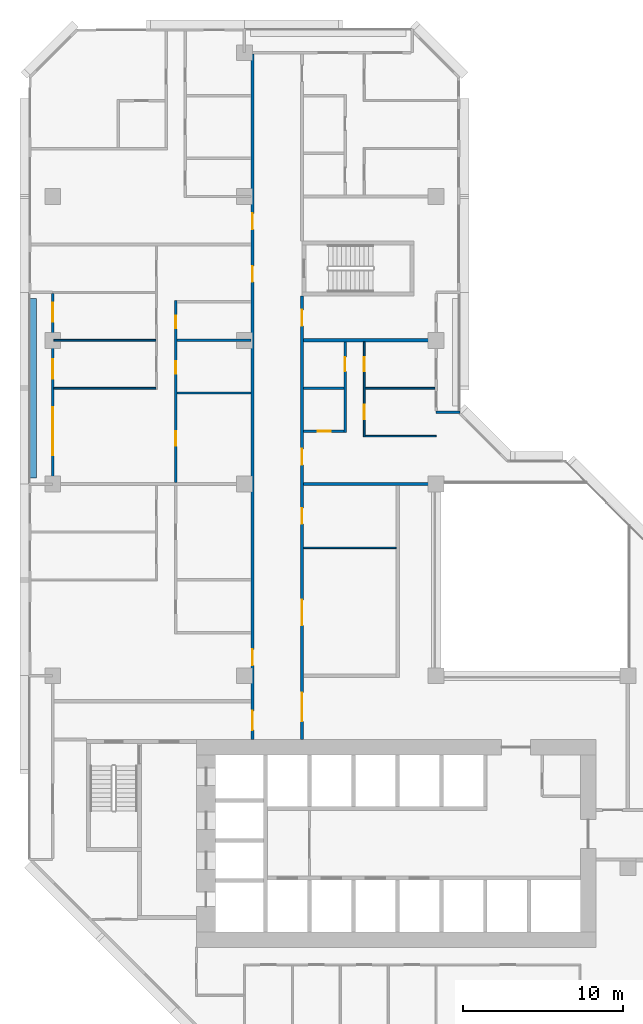
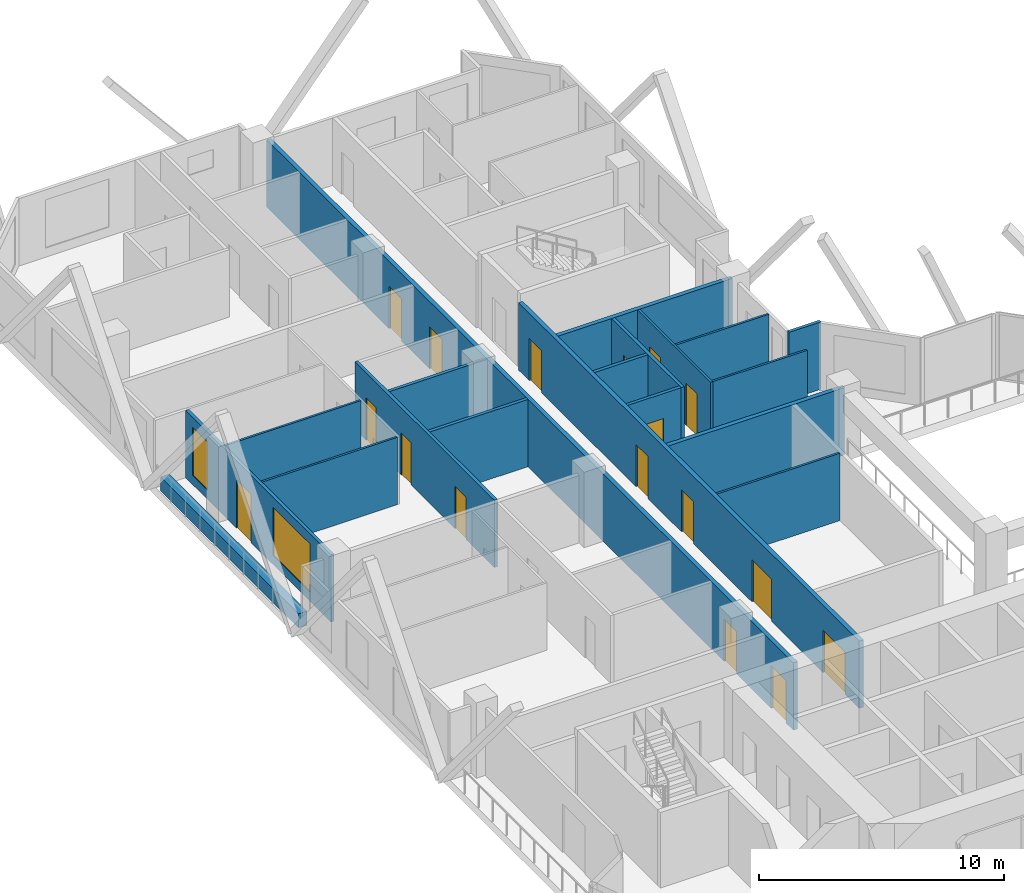
# One storey, part 9 of 15: 19 walls, 17 doors, 2 windows, 19 openings.
"""IFC4 building model written with IfcOpenShell, lengths in metres."""

from ifc_helpers import new_model, si_unit, direction, frame, frame_2d, origin, place, context, subcontext, project, spatial, rectangle, extrude, material, layer, layer_set, type_object, element, fill, save


model = new_model("IFC4")

# Units and contexts
model_context = context("Model", 3, precision=1e-05, world=origin(), true_north=direction((0.0, 1.0)))
body_context = subcontext(model_context, "Body", "Model", "MODEL_VIEW")
ifc_project = project(units=[si_unit("LENGTHUNIT", "METRE"), si_unit("AREAUNIT", "SQUARE_METRE"), si_unit("VOLUMEUNIT", "CUBIC_METRE"), si_unit("PLANEANGLEUNIT", "RADIAN"), si_unit("MASSUNIT", "GRAM", prefix="KILO")], contexts=[model_context])

# Site, building, storey
site_placement = place(None, origin())
site = spatial("IfcSite", under=ifc_project, at=site_placement, CompositionType="ELEMENT")
building_placement = place(site_placement, origin())
building = spatial("IfcBuilding", under=site, at=building_placement, Name="Chenar Terraces", CompositionType="ELEMENT")
storey_placement = place(building_placement, frame((0.0, 0.0, 114.39990234375)))
storey = spatial("IfcBuildingStorey", under=building, at=storey_placement, Name="L26", CompositionType="ELEMENT", Elevation=114.39990234375)

# Wall, openings, doors
ifc_material_1 = material(Name="Gypsum board on steel studs with fire boards", Category="steel")
ifc_layer_1 = layer(ifc_material_1, 0.199951171875)
ifc_layer_set_1 = layer_set([ifc_layer_1], Name="Gypsum board on steel studs with fire boards")
wall_type_1 = type_object("IfcWallType", Name="Corridor wall 200", PredefinedType="PARTITIONING", material=ifc_layer_set_1)
wall_1_placement = place(storey_placement, frame((12.5, 20.0, 0.0), z_axis=(0.0, 0.0, 1.0), x_axis=(0.0, 1.0, 0.0)))
wall_1 = element("IfcWall", 1, at=wall_1_placement, inside=storey, type_object=wall_type_1, Name="Partition L26-032", PredefinedType="PARTITIONING", context=body_context, shape_type="SweptSolid", body=[
    extrude(rectangle(XDim=42.926025390625, YDim=0.199951171875, at=frame_2d((21.462890625, 0.0))), origin(), (0.0, 0.0, 1.0), 3.35009765625),
])
opening_1_placement = place(wall_1_placement, frame((28.64990234375, 0.0, 0.0)))
opening_1 = element("IfcOpeningElement", 2, at=opening_1_placement, cuts=wall_1, Name="Opening DL26-43", PredefinedType="OPENING", context=body_context, shape_type="SweptSolid", body=[
    extrude(rectangle(XDim=1.0, YDim=2.10009765625, at=frame_2d((0.5, 1.050048828125))), frame((0.0, 0.10986328125, 0.0), z_axis=(0.0, -1.0, 0.0), x_axis=(1.0, 0.0, 0.0)), (0.0, 0.0, 1.0), 0.219970703125),
])
opening_2_placement = place(wall_1_placement, frame((31.949951171875, 0.0, 0.0)))
opening_2 = element("IfcOpeningElement", 3, at=opening_2_placement, cuts=wall_1, Name="Opening DL26-51", PredefinedType="OPENING", context=body_context, shape_type="SweptSolid", body=[
    extrude(rectangle(XDim=1.0, YDim=2.10009765625, at=frame_2d((0.5, 1.050048828125))), frame((0.0, 0.10986328125, 0.0), z_axis=(0.0, -1.0, 0.0), x_axis=(1.0, 0.0, 0.0)), (0.0, 0.0, 1.0), 0.219970703125),
])
opening_3_placement = place(wall_1_placement, frame((0.60009765625, 0.0, 0.0)))
opening_3 = element("IfcOpeningElement", 4, at=opening_3_placement, cuts=wall_1, Name="Opening DL26-54", PredefinedType="OPENING", context=body_context, shape_type="SweptSolid", body=[
    extrude(rectangle(XDim=1.199951171875, YDim=2.10009765625, at=frame_2d((0.60009765625, 1.050048828125))), frame((0.0, 0.10986328125, 0.0), z_axis=(0.0, -1.0, 0.0), x_axis=(1.0, 0.0, 0.0)), (0.0, 0.0, 1.0), 0.219970703125),
])
opening_4_placement = place(wall_1_placement, frame((4.64990234375, 0.0, 0.0)))
opening_4 = element("IfcOpeningElement", 5, at=opening_4_placement, cuts=wall_1, Name="Opening DL26-74", PredefinedType="OPENING", context=body_context, shape_type="SweptSolid", body=[
    extrude(rectangle(XDim=1.0, YDim=2.10009765625, at=frame_2d((0.5, 1.050048828125))), frame((0.0, 0.10986328125, 0.0), z_axis=(0.0, -1.0, 0.0), x_axis=(1.0, 0.0, 0.0)), (0.0, 0.0, 1.0), 0.219970703125),
])
ifc_material_2 = material(Name="Steel-framed fire-resisting door leaf", Category="steel")
door_type_1 = type_object("IfcDoorType", Name="Fire door FD30S 1000 x 2100", OperationType="SINGLE_SWING_LEFT", PredefinedType="DOOR", material=ifc_material_2)
door_1_placement = place(opening_1_placement, origin())
door_1 = element("IfcDoor", 6, at=door_1_placement, inside=storey, type_object=door_type_1, Name="Door DL26-43", OperationType="SINGLE_SWING_LEFT", OverallHeight=2.10009765625, OverallWidth=1.0, PredefinedType="DOOR", context=body_context, shape_type="SweptSolid", body=[
    extrude(rectangle(XDim=1.0, YDim=2.10009765625, at=frame_2d((0.5, 1.050048828125))), frame((0.0, 0.02490234375, 0.0), z_axis=(0.0, -1.0, 0.0), x_axis=(1.0, 0.0, 0.0)), (0.0, 0.0, 1.0), 0.050048828125),
])
fill(opening_1, door_1)
door_2_placement = place(opening_2_placement, origin())
door_2 = element("IfcDoor", 7, at=door_2_placement, inside=storey, type_object=door_type_1, Name="Door DL26-51", OperationType="SINGLE_SWING_RIGHT", OverallHeight=2.10009765625, OverallWidth=1.0, PredefinedType="DOOR", context=body_context, shape_type="SweptSolid", body=[
    extrude(rectangle(XDim=1.0, YDim=2.10009765625, at=frame_2d((0.5, 1.050048828125))), frame((0.0, 0.02490234375, 0.0), z_axis=(0.0, -1.0, 0.0), x_axis=(1.0, 0.0, 0.0)), (0.0, 0.0, 1.0), 0.050048828125),
])
fill(opening_2, door_2)
door_3_placement = place(opening_4_placement, origin())
door_3 = element("IfcDoor", 8, at=door_3_placement, inside=storey, type_object=door_type_1, Name="Door DL26-74", OperationType="SINGLE_SWING_LEFT", OverallHeight=2.10009765625, OverallWidth=1.0, PredefinedType="DOOR", context=body_context, shape_type="SweptSolid", body=[
    extrude(rectangle(XDim=1.0, YDim=2.10009765625, at=frame_2d((0.5, 1.050048828125))), frame((0.0, 0.02490234375, 0.0), z_axis=(0.0, -1.0, 0.0), x_axis=(1.0, 0.0, 0.0)), (0.0, 0.0, 1.0), 0.050048828125),
])
fill(opening_4, door_3)
ifc_material_3 = material(Name="Steel-framed fire-resisting door leaf", Category="steel")
door_type_2 = type_object("IfcDoorType", Name="Fire door FD30S 1200 x 2100", OperationType="SINGLE_SWING_LEFT", PredefinedType="DOOR", material=ifc_material_3)
door_4_placement = place(opening_3_placement, origin())
door_4 = element("IfcDoor", 9, at=door_4_placement, inside=storey, type_object=door_type_2, Name="Door DL26-54", OperationType="SINGLE_SWING_RIGHT", OverallHeight=2.10009765625, OverallWidth=1.199951171875, PredefinedType="DOOR", context=body_context, shape_type="SweptSolid", body=[
    extrude(rectangle(XDim=1.199951171875, YDim=2.10009765625, at=frame_2d((0.60009765625, 1.050048828125))), frame((0.0, 0.02490234375, 0.0), z_axis=(0.0, -1.0, 0.0), x_axis=(1.0, 0.0, 0.0)), (0.0, 0.0, 1.0), 0.050048828125),
])
fill(opening_3, door_4)

wall_2_placement = place(storey_placement, frame((15.60009765625, 20.0, 0.0), z_axis=(0.0, 0.0, 1.0), x_axis=(0.0, 1.0, 0.0)))
wall_2 = element("IfcWall", 10, at=wall_2_placement, inside=storey, type_object=wall_type_1, Name="Partition L26-034", PredefinedType="PARTITIONING", context=body_context, shape_type="SweptSolid", body=[
    extrude(rectangle(XDim=27.77490234375, YDim=0.199951171875, at=frame_2d((13.887451171875, 0.0))), origin(), (0.0, 0.0, 1.0), 3.35009765625),
])
opening_5_placement = place(wall_2_placement, frame((7.14990234375, 0.0, 0.0)))
opening_5 = element("IfcOpeningElement", 11, at=opening_5_placement, cuts=wall_2, Name="Opening DL26-1", PredefinedType="OPENING", context=body_context, shape_type="SweptSolid", body=[
    extrude(rectangle(XDim=1.60009765625, YDim=2.10009765625, at=frame_2d((0.800048828125, 1.050048828125))), frame((0.0, 0.10986328125, 0.0), z_axis=(0.0, -1.0, 0.0), x_axis=(1.0, 0.0, 0.0)), (0.0, 0.0, 1.0), 0.219970703125),
])
opening_6_placement = place(wall_2_placement, frame((13.5, 0.0, 0.0)))
opening_6 = element("IfcOpeningElement", 12, at=opening_6_placement, cuts=wall_2, Name="Opening DL26-2", PredefinedType="OPENING", context=body_context, shape_type="SweptSolid", body=[
    extrude(rectangle(XDim=1.0, YDim=2.10009765625, at=frame_2d((0.5, 1.050048828125))), frame((0.0, 0.10986328125, 0.0), z_axis=(0.0, -1.0, 0.0), x_axis=(1.0, 0.0, 0.0)), (0.0, 0.0, 1.0), 0.219970703125),
])
opening_7_placement = place(wall_2_placement, frame((17.199951171875, 0.0, 0.0)))
opening_7 = element("IfcOpeningElement", 13, at=opening_7_placement, cuts=wall_2, Name="Opening DL26-33", PredefinedType="OPENING", context=body_context, shape_type="SweptSolid", body=[
    extrude(rectangle(XDim=1.0, YDim=2.10009765625, at=frame_2d((0.5, 1.050048828125))), frame((0.0, 0.10986328125, 0.0), z_axis=(0.0, -1.0, 0.0), x_axis=(1.0, 0.0, 0.0)), (0.0, 0.0, 1.0), 0.219970703125),
])
opening_8_placement = place(wall_2_placement, frame((1.14990234375, 0.0, 0.0)))
opening_8 = element("IfcOpeningElement", 14, at=opening_8_placement, cuts=wall_2, Name="Opening DL26-53", PredefinedType="OPENING", context=body_context, shape_type="SweptSolid", body=[
    extrude(rectangle(XDim=1.800048828125, YDim=2.10009765625, at=frame_2d((0.89990234375, 1.050048828125))), frame((0.0, 0.10986328125, 0.0), z_axis=(0.0, -1.0, 0.0), x_axis=(1.0, 0.0, 0.0)), (0.0, 0.0, 1.0), 0.219970703125),
])
opening_9_placement = place(wall_2_placement, frame((25.89990234375, 0.0, 0.0)))
opening_9 = element("IfcOpeningElement", 15, at=opening_9_placement, cuts=wall_2, Name="Opening DL26-56", PredefinedType="OPENING", context=body_context, shape_type="SweptSolid", body=[
    extrude(rectangle(XDim=1.0, YDim=2.10009765625, at=frame_2d((0.5, 1.050048828125))), frame((0.0, 0.10986328125, 0.0), z_axis=(0.0, -1.0, 0.0), x_axis=(1.0, 0.0, 0.0)), (0.0, 0.0, 1.0), 0.219970703125),
])
ifc_material_4 = material(Name="Steel-framed fire-resisting door leaf", Category="steel")
door_type_3 = type_object("IfcDoorType", Name="Fire door FD60 1000 x 2100", OperationType="SINGLE_SWING_LEFT", PredefinedType="DOOR", material=ifc_material_4)
door_5_placement = place(opening_6_placement, frame((1.0, 0.0, 0.0), z_axis=(0.0, 0.0, 1.0), x_axis=(-1.0, 0.0, 0.0)))
door_5 = element("IfcDoor", 16, at=door_5_placement, inside=storey, type_object=door_type_3, Name="Door DL26-2", OperationType="SINGLE_SWING_LEFT", OverallHeight=2.10009765625, OverallWidth=1.0, PredefinedType="DOOR", context=body_context, shape_type="SweptSolid", body=[
    extrude(rectangle(XDim=1.0, YDim=2.10009765625, at=frame_2d((0.5, 1.050048828125))), frame((0.0, 0.02490234375, 0.0), z_axis=(0.0, -1.0, 0.0), x_axis=(1.0, 0.0, 0.0)), (0.0, 0.0, 1.0), 0.050048828125),
])
fill(opening_6, door_5)
door_6_placement = place(opening_7_placement, frame((1.0, 0.0, 0.0), z_axis=(0.0, 0.0, 1.0), x_axis=(-1.0, 0.0, 0.0)))
door_6 = element("IfcDoor", 17, at=door_6_placement, inside=storey, type_object=door_type_3, Name="Door DL26-33", OperationType="SINGLE_SWING_LEFT", OverallHeight=2.10009765625, OverallWidth=1.0, PredefinedType="DOOR", context=body_context, shape_type="SweptSolid", body=[
    extrude(rectangle(XDim=1.0, YDim=2.10009765625, at=frame_2d((0.5, 1.050048828125))), frame((0.0, 0.02490234375, 0.0), z_axis=(0.0, -1.0, 0.0), x_axis=(1.0, 0.0, 0.0)), (0.0, 0.0, 1.0), 0.050048828125),
])
fill(opening_7, door_6)
door_7_placement = place(opening_9_placement, frame((1.0, 0.0, 0.0), z_axis=(0.0, 0.0, 1.0), x_axis=(-1.0, 0.0, 0.0)))
door_7 = element("IfcDoor", 18, at=door_7_placement, inside=storey, type_object=door_type_3, Name="Door DL26-56", OperationType="SINGLE_SWING_RIGHT", OverallHeight=2.10009765625, OverallWidth=1.0, PredefinedType="DOOR", context=body_context, shape_type="SweptSolid", body=[
    extrude(rectangle(XDim=1.0, YDim=2.10009765625, at=frame_2d((0.5, 1.050048828125))), frame((0.0, 0.02490234375, 0.0), z_axis=(0.0, -1.0, 0.0), x_axis=(1.0, 0.0, 0.0)), (0.0, 0.0, 1.0), 0.050048828125),
])
fill(opening_9, door_7)
ifc_material_5 = material(Name="Steel-framed fire-resisting door leaf", Category="steel")
door_type_4 = type_object("IfcDoorType", Name="Fire double door FD60 1600 x 2100", OperationType="DOUBLE_DOOR_SINGLE_SWING", PredefinedType="DOOR", material=ifc_material_5)
door_8_placement = place(opening_5_placement, frame((1.60009765625, 0.0, 0.0), z_axis=(0.0, 0.0, 1.0), x_axis=(-1.0, 0.0, 0.0)))
door_8 = element("IfcDoor", 19, at=door_8_placement, inside=storey, type_object=door_type_4, Name="Door DL26-1", OperationType="DOUBLE_DOOR_SINGLE_SWING", OverallHeight=2.10009765625, OverallWidth=1.60009765625, PredefinedType="DOOR", context=body_context, shape_type="SweptSolid", body=[
    extrude(rectangle(XDim=1.60009765625, YDim=2.10009765625, at=frame_2d((0.800048828125, 1.050048828125))), frame((0.0, 0.02490234375, 0.0), z_axis=(0.0, -1.0, 0.0), x_axis=(1.0, 0.0, 0.0)), (0.0, 0.0, 1.0), 0.050048828125),
])
fill(opening_5, door_8)
ifc_material_6 = material(Name="Steel-framed fire-resisting door leaf", Category="steel")
door_type_5 = type_object("IfcDoorType", Name="Fire double door FD60 1800 x 2100", OperationType="DOUBLE_DOOR_SINGLE_SWING", PredefinedType="DOOR", material=ifc_material_6)
door_9_placement = place(opening_8_placement, frame((1.800048828125, 0.0, 0.0), z_axis=(0.0, 0.0, 1.0), x_axis=(-1.0, 0.0, 0.0)))
door_9 = element("IfcDoor", 20, at=door_9_placement, inside=storey, type_object=door_type_5, Name="Door DL26-53", OperationType="DOUBLE_DOOR_SINGLE_SWING", OverallHeight=2.10009765625, OverallWidth=1.800048828125, PredefinedType="DOOR", context=body_context, shape_type="SweptSolid", body=[
    extrude(rectangle(XDim=1.800048828125, YDim=2.10009765625, at=frame_2d((0.89990234375, 1.050048828125))), frame((0.0, 0.02490234375, 0.0), z_axis=(0.0, -1.0, 0.0), x_axis=(1.0, 0.0, 0.0)), (0.0, 0.0, 1.0), 0.050048828125),
])
fill(opening_8, door_9)

# Wall, openings, windows, door
ifc_material_7 = material(Name="Aluminium framed glazing", Category="aluminium")
ifc_layer_2 = layer(ifc_material_7, 0.14990234375)
ifc_layer_set_2 = layer_set([ifc_layer_2], Name="Aluminium framed glazing")
wall_type_2 = type_object("IfcWallType", Name="Glazed loggia back wall 150", PredefinedType="SOLIDWALL", material=ifc_layer_set_2)
wall_3_placement = place(storey_placement, frame((0.0, 47.925048828125, 0.0), z_axis=(0.0, 0.0, 1.0), x_axis=(0.0, -1.0, 0.0)))
wall_3 = element("IfcWall", 21, at=wall_3_placement, inside=storey, type_object=wall_type_2, Name="Glazed loggia back wall", PredefinedType="SOLIDWALL", context=body_context, shape_type="SweptSolid", body=[
    extrude(rectangle(XDim=11.85009765625, YDim=0.14990234375, at=frame_2d((5.925048828125, 0.0))), origin(), (0.0, 0.0, 1.0), 3.35009765625),
])
opening_10_placement = place(wall_3_placement, frame((0.5625, 0.0, 0.449951171875)))
opening_10 = element("IfcOpeningElement", 22, at=opening_10_placement, cuts=wall_3, Name="Opening W120x240", PredefinedType="OPENING", context=body_context, shape_type="SweptSolid", body=[
    extrude(rectangle(XDim=1.199951171875, YDim=2.39990234375, at=frame_2d((0.60009765625, 1.199951171875))), frame((0.0, 0.0849609375, 0.0), z_axis=(0.0, -1.0, 0.0), x_axis=(1.0, 0.0, 0.0)), (0.0, 0.0, 1.0), 0.169921875),
])
opening_11_placement = place(wall_3_placement, frame((4.125, 0.0, 0.0)))
opening_11 = element("IfcOpeningElement", 23, at=opening_11_placement, cuts=wall_3, Name="Opening DL26-G4", PredefinedType="OPENING", context=body_context, shape_type="SweptSolid", body=[
    extrude(rectangle(XDim=1.199951171875, YDim=2.39990234375, at=frame_2d((0.60009765625, 1.199951171875))), frame((0.0, 0.0849609375, 0.0), z_axis=(0.0, -1.0, 0.0), x_axis=(1.0, 0.0, 0.0)), (0.0, 0.0, 1.0), 0.169921875),
])
opening_12_placement = place(wall_3_placement, frame((7.125, 0.0, 0.449951171875)))
opening_12 = element("IfcOpeningElement", 24, at=opening_12_placement, cuts=wall_3, Name="Opening W300x240", PredefinedType="OPENING", context=body_context, shape_type="SweptSolid", body=[
    extrude(rectangle(XDim=3.0, YDim=2.39990234375, at=frame_2d((1.5, 1.199951171875))), frame((0.0, 0.0849609375, 0.0), z_axis=(0.0, -1.0, 0.0), x_axis=(1.0, 0.0, 0.0)), (0.0, 0.0, 1.0), 0.169921875),
])
ifc_material_8 = material(Name="Low emissivity double glazing, aluminium frame", Category="aluminium")
window_type_1 = type_object("IfcWindowType", Name="Fixed light 1200 x 2400", PartitioningType="SINGLE_PANEL", PredefinedType="WINDOW", material=ifc_material_8)
window_1_placement = place(opening_10_placement, origin())
window_1 = element("IfcWindow", 25, at=window_1_placement, inside=storey, type_object=window_type_1, Name="Window", OverallHeight=2.39990234375, OverallWidth=1.199951171875, PartitioningType="SINGLE_PANEL", PredefinedType="WINDOW", context=body_context, shape_type="SweptSolid", body=[
    extrude(rectangle(XDim=1.199951171875, YDim=2.39990234375, at=frame_2d((0.60009765625, 1.199951171875))), frame((0.0, 0.030029296875, 0.0), z_axis=(0.0, -1.0, 0.0), x_axis=(1.0, 0.0, 0.0)), (0.0, 0.0, 1.0), 0.06005859375),
])
fill(opening_10, window_1)
ifc_material_9 = material(Name="Low emissivity double glazing, aluminium frame", Category="aluminium")
window_type_2 = type_object("IfcWindowType", Name="Fixed light 3000 x 2400", PartitioningType="SINGLE_PANEL", PredefinedType="WINDOW", material=ifc_material_9)
window_2_placement = place(opening_12_placement, origin())
window_2 = element("IfcWindow", 26, at=window_2_placement, inside=storey, type_object=window_type_2, Name="Window", OverallHeight=2.39990234375, OverallWidth=3.0, PartitioningType="SINGLE_PANEL", PredefinedType="WINDOW", context=body_context, shape_type="SweptSolid", body=[
    extrude(rectangle(XDim=3.0, YDim=2.39990234375, at=frame_2d((1.5, 1.199951171875))), frame((0.0, 0.030029296875, 0.0), z_axis=(0.0, -1.0, 0.0), x_axis=(1.0, 0.0, 0.0)), (0.0, 0.0, 1.0), 0.06005859375),
])
fill(opening_12, window_2)
ifc_material_10 = material(Name="Low emissivity double glazing, aluminium frame", Category="aluminium")
door_type_6 = type_object("IfcDoorType", Name="Loggia glazed double door 1200 x 2400", OperationType="DOUBLE_DOOR_SINGLE_SWING", PredefinedType="DOOR", material=ifc_material_10)
door_10_placement = place(opening_11_placement, frame((1.199951171875, 0.0, 0.0), z_axis=(0.0, 0.0, 1.0), x_axis=(-1.0, 0.0, 0.0)))
door_10 = element("IfcDoor", 27, at=door_10_placement, inside=storey, type_object=door_type_6, Name="Loggia glazed door", OperationType="DOUBLE_DOOR_SINGLE_SWING", OverallHeight=2.39990234375, OverallWidth=1.199951171875, PredefinedType="DOOR", context=body_context, shape_type="SweptSolid", body=[
    extrude(rectangle(XDim=1.199951171875, YDim=2.39990234375, at=frame_2d((0.60009765625, 1.199951171875))), frame((0.0, 0.02490234375, 0.0), z_axis=(0.0, -1.0, 0.0), x_axis=(1.0, 0.0, 0.0)), (0.0, 0.0, 1.0), 0.050048828125),
])
fill(opening_11, door_10)

# Walls
ifc_material_11 = material(Name="Gypsum board on steel studs", Category="steel")
ifc_layer_3 = layer(ifc_material_11, 0.10009765625)
ifc_layer_set_3 = layer_set([ifc_layer_3], Name="Gypsum board on steel studs")
wall_type_3 = type_object("IfcWallType", Name="Gypsum partition 100", PredefinedType="PARTITIONING", material=ifc_layer_set_3)
for number, where, z_axis, x_axis, name in (
    (28, (0.073974609375, 42.0, 0.0), (0.0, 0.0, 1.0), (1.0, 0.0, 0.0), "Partition L26-009"),
    (29, (0.073974609375, 45.0, 0.0), (0.0, 0.0, 1.0), (1.0, 0.0, 0.0), "Partition L26-010"),
):
    element("IfcWall", number, at=place(storey_placement, frame(where, z_axis=z_axis, x_axis=x_axis)), inside=storey, type_object=wall_type_3, Name=name, PredefinedType="PARTITIONING", context=body_context, shape_type="SweptSolid", body=[
        extrude(rectangle(XDim=6.3759765625, YDim=0.10009765625, at=frame_2d((3.18798828125, 0.0))), origin(), (0.0, 0.0, 1.0), 3.35009765625),
    ])
wall_4_placement = place(storey_placement, frame((15.699951171875, 32.0, 0.0), z_axis=(0.0, 0.0, 1.0), x_axis=(1.0, 0.0, 0.0)))
element("IfcWall", 30, at=wall_4_placement, inside=storey, type_object=wall_type_3, Name="Partition L26-037", PredefinedType="PARTITIONING", context=body_context, shape_type="SweptSolid", body=[
    extrude(rectangle(XDim=5.800048828125, YDim=0.10009765625, at=frame_2d((2.89990234375, 0.0))), origin(), (0.0, 0.0, 1.0), 3.35009765625),
])

# Wall, openings, doors
wall_5_placement = place(storey_placement, frame((19.5, 38.949951171875, 0.0), z_axis=(0.0, 0.0, 1.0), x_axis=(0.0, 1.0, 0.0)))
wall_5 = element("IfcWall", 31, at=wall_5_placement, inside=storey, type_object=wall_type_3, Name="Partition L26-050", PredefinedType="PARTITIONING", context=body_context, shape_type="SweptSolid", body=[
    extrude(rectangle(XDim=5.949951171875, YDim=0.10009765625, at=frame_2d((2.97509765625, 0.0))), origin(), (0.0, 0.0, 1.0), 3.35009765625),
])
opening_13_placement = place(wall_5_placement, frame((1.10009765625, 0.0, 0.0)))
opening_13 = element("IfcOpeningElement", 32, at=opening_13_placement, cuts=wall_5, Name="Opening DL26-30", PredefinedType="OPENING", context=body_context, shape_type="SweptSolid", body=[
    extrude(rectangle(XDim=0.89990234375, YDim=2.10009765625, at=frame_2d((0.449951171875, 1.050048828125))), frame((0.0, 0.06005859375, 0.0), z_axis=(0.0, -1.0, 0.0), x_axis=(1.0, 0.0, 0.0)), (0.0, 0.0, 1.0), 0.1201171875),
])
opening_14_placement = place(wall_5_placement, frame((4.10009765625, 0.0, 0.0)))
opening_14 = element("IfcOpeningElement", 33, at=opening_14_placement, cuts=wall_5, Name="Opening DL26-31", PredefinedType="OPENING", context=body_context, shape_type="SweptSolid", body=[
    extrude(rectangle(XDim=0.89990234375, YDim=2.10009765625, at=frame_2d((0.449951171875, 1.050048828125))), frame((0.0, 0.06005859375, 0.0), z_axis=(0.0, -1.0, 0.0), x_axis=(1.0, 0.0, 0.0)), (0.0, 0.0, 1.0), 0.1201171875),
])
ifc_material_12 = material(Name="Veneered timber door leaf", Category="wood")
door_type_7 = type_object("IfcDoorType", Name="Door 900 x 2100", OperationType="SINGLE_SWING_LEFT", PredefinedType="DOOR", material=ifc_material_12)
door_11_placement = place(opening_13_placement, frame((0.89990234375, 0.0, 0.0), z_axis=(0.0, 0.0, 1.0), x_axis=(-1.0, 0.0, 0.0)))
door_11 = element("IfcDoor", 34, at=door_11_placement, inside=storey, type_object=door_type_7, Name="Door DL26-30", OperationType="SINGLE_SWING_RIGHT", OverallHeight=2.10009765625, OverallWidth=0.89990234375, PredefinedType="DOOR", context=body_context, shape_type="SweptSolid", body=[
    extrude(rectangle(XDim=0.89990234375, YDim=2.10009765625, at=frame_2d((0.449951171875, 1.050048828125))), frame((0.0, 0.02490234375, 0.0), z_axis=(0.0, -1.0, 0.0), x_axis=(1.0, 0.0, 0.0)), (0.0, 0.0, 1.0), 0.050048828125),
])
fill(opening_13, door_11)
door_12_placement = place(opening_14_placement, frame((0.89990234375, 0.0, 0.0), z_axis=(0.0, 0.0, 1.0), x_axis=(-1.0, 0.0, 0.0)))
door_12 = element("IfcDoor", 35, at=door_12_placement, inside=storey, type_object=door_type_7, Name="Door DL26-31", OperationType="SINGLE_SWING_LEFT", OverallHeight=2.10009765625, OverallWidth=0.89990234375, PredefinedType="DOOR", context=body_context, shape_type="SweptSolid", body=[
    extrude(rectangle(XDim=0.89990234375, YDim=2.10009765625, at=frame_2d((0.449951171875, 1.050048828125))), frame((0.0, 0.02490234375, 0.0), z_axis=(0.0, -1.0, 0.0), x_axis=(1.0, 0.0, 0.0)), (0.0, 0.0, 1.0), 0.050048828125),
])
fill(opening_14, door_12)

# Walls
wall_6_placement = place(storey_placement, frame((19.550048828125, 39.0, 0.0), z_axis=(0.0, 0.0, 1.0), x_axis=(1.0, 0.0, 0.0)))
element("IfcWall", 36, at=wall_6_placement, inside=storey, type_object=wall_type_3, Name="Partition L26-053", PredefinedType="PARTITIONING", context=body_context, shape_type="SweptSolid", body=[
    extrude(rectangle(XDim=4.449951171875, YDim=0.10009765625, at=frame_2d((2.22509765625, 0.0))), origin(), (0.0, 0.0, 1.0), 3.35009765625),
])
wall_7_placement = place(storey_placement, frame((19.550048828125, 42.0, 0.0), z_axis=(0.0, 0.0, 1.0), x_axis=(1.0, 0.0, 0.0)))
element("IfcWall", 37, at=wall_7_placement, inside=storey, type_object=wall_type_3, Name="Partition L26-054", PredefinedType="PARTITIONING", context=body_context, shape_type="SweptSolid", body=[
    extrude(rectangle(XDim=4.3759765625, YDim=0.10009765625, at=frame_2d((2.18798828125, 0.0))), origin(), (0.0, 0.0, 1.0), 3.35009765625),
])
ifc_material_13 = material(Name="Terracotta cladding on insulated backing", Category="masonry")
ifc_layer_4 = layer(ifc_material_13, 0.14990234375)
ifc_layer_set_4 = layer_set([ifc_layer_4], Name="Terracotta cladding on insulated backing")
wall_type_4 = type_object("IfcWallType", Name="Loggia return wall 150", PredefinedType="SOLIDWALL", material=ifc_layer_set_4)
wall_8_placement = place(storey_placement, frame((25.5, 40.5, 0.0), z_axis=(0.0, 0.0, 1.0), x_axis=(-1.0, 0.0, 0.0)))
element("IfcWall", 38, at=wall_8_placement, inside=storey, type_object=wall_type_4, Name="Loggia return wall", PredefinedType="SOLIDWALL", context=body_context, shape_type="SweptSolid", body=[
    extrude(rectangle(XDim=1.5, YDim=0.14990234375, at=frame_2d((0.75, 0.0))), origin(), (0.0, 0.0, 1.0), 3.35009765625),
])
ifc_material_14 = material(Name="Twin gypsum board on steel studs with mineral wool", Category="steel")
ifc_layer_5 = layer(ifc_material_14, 0.199951171875)
ifc_layer_set_5 = layer_set([ifc_layer_5], Name="Twin gypsum board on steel studs with mineral wool")
wall_type_5 = type_object("IfcWallType", Name="Unit demising wall 200", PredefinedType="PARTITIONING", material=ifc_layer_set_5)
wall_9_placement = place(storey_placement, frame((15.699951171875, 36.0, 0.0), z_axis=(0.0, 0.0, 1.0), x_axis=(1.0, 0.0, 0.0)))
element("IfcWall", 39, at=wall_9_placement, inside=storey, type_object=wall_type_5, Name="Partition L26-038", PredefinedType="PARTITIONING", context=body_context, shape_type="SweptSolid", body=[
    extrude(rectangle(XDim=8.300048828125, YDim=0.199951171875, at=frame_2d((4.14990234375, 0.0))), origin(), (0.0, 0.0, 1.0), 3.35009765625),
])
wall_10_placement = place(storey_placement, frame((15.699951171875, 45.0, 0.0), z_axis=(0.0, 0.0, 1.0), x_axis=(1.0, 0.0, 0.0)))
element("IfcWall", 40, at=wall_10_placement, inside=storey, type_object=wall_type_5, Name="Partition L26-041", PredefinedType="PARTITIONING", context=body_context, shape_type="SweptSolid", body=[
    extrude(rectangle(XDim=8.22607421875, YDim=0.199951171875, at=frame_2d((4.113037109375, 0.0))), origin(), (0.0, 0.0, 1.0), 3.35009765625),
])
ifc_material_15 = material(Name="GRP planter trough")
ifc_layer_6 = layer(ifc_material_15, 0.39990234375)
ifc_layer_set_6 = layer_set([ifc_layer_6], Name="GRP planter trough")
wall_type_6 = type_object("IfcWallType", Name="Vertical greenery planter 400", PredefinedType="SOLIDWALL", material=ifc_layer_set_6)
wall_11_placement = place(storey_placement, frame((-1.22900390625, 47.625, 0.0), z_axis=(0.0, 0.0, 1.0), x_axis=(0.0, -1.0, 0.0)))
element("IfcWall", 41, at=wall_11_placement, inside=storey, type_object=wall_type_6, Name="Vertical greenery planter", PredefinedType="SOLIDWALL", context=body_context, shape_type="SweptSolid", body=[
    extrude(rectangle(XDim=11.25, YDim=0.39990234375, at=frame_2d((5.625, 0.0))), origin(), (0.0, 0.0, 1.0), 0.7001953125),
])

# Wall, openings, doors
ifc_material_16 = material(Name="Moisture-resistant gypsum board on steel studs", Category="steel")
ifc_layer_7 = layer(ifc_material_16, 0.14990234375)
ifc_layer_set_7 = layer_set([ifc_layer_7], Name="Moisture-resistant gypsum board on steel studs")
wall_type_7 = type_object("IfcWallType", Name="Wet-room partition 150", PredefinedType="PARTITIONING", material=ifc_layer_set_7)
wall_12_placement = place(storey_placement, frame((7.699951171875, 36.10009765625, 0.0), z_axis=(0.0, 0.0, 1.0), x_axis=(0.0, 1.0, 0.0)))
wall_12 = element("IfcWall", 42, at=wall_12_placement, inside=storey, type_object=wall_type_7, Name="Partition L26-018", PredefinedType="PARTITIONING", context=body_context, shape_type="SweptSolid", body=[
    extrude(rectangle(XDim=11.375, YDim=0.14990234375, at=frame_2d((5.6875, 0.0))), origin(), (0.0, 0.0, 1.0), 3.35009765625),
])
opening_15_placement = place(wall_12_placement, frame((9.64990234375, 0.0, 0.0)))
opening_15 = element("IfcOpeningElement", 43, at=opening_15_placement, cuts=wall_12, Name="Opening DL26-39", PredefinedType="OPENING", context=body_context, shape_type="SweptSolid", body=[
    extrude(rectangle(XDim=0.800048828125, YDim=2.10009765625, at=frame_2d((0.39990234375, 1.050048828125))), frame((0.0, 0.0849609375, 0.0), z_axis=(0.0, -1.0, 0.0), x_axis=(1.0, 0.0, 0.0)), (0.0, 0.0, 1.0), 0.169921875),
])
opening_16_placement = place(wall_12_placement, frame((2.300048828125, 0.0, 0.0)))
opening_16 = element("IfcOpeningElement", 44, at=opening_16_placement, cuts=wall_12, Name="Opening DL26-42", PredefinedType="OPENING", context=body_context, shape_type="SweptSolid", body=[
    extrude(rectangle(XDim=0.89990234375, YDim=2.10009765625, at=frame_2d((0.449951171875, 1.050048828125))), frame((0.0, 0.0849609375, 0.0), z_axis=(0.0, -1.0, 0.0), x_axis=(1.0, 0.0, 0.0)), (0.0, 0.0, 1.0), 0.169921875),
])
opening_17_placement = place(wall_12_placement, frame((6.800048828125, 0.0, 0.0)))
opening_17 = element("IfcOpeningElement", 45, at=opening_17_placement, cuts=wall_12, Name="Opening DL26-45", PredefinedType="OPENING", context=body_context, shape_type="SweptSolid", body=[
    extrude(rectangle(XDim=0.800048828125, YDim=2.10009765625, at=frame_2d((0.39990234375, 1.050048828125))), frame((0.0, 0.0849609375, 0.0), z_axis=(0.0, -1.0, 0.0), x_axis=(1.0, 0.0, 0.0)), (0.0, 0.0, 1.0), 0.169921875),
])
ifc_material_17 = material(Name="Veneered timber door leaf", Category="wood")
door_type_8 = type_object("IfcDoorType", Name="Door 800 x 2100", OperationType="SINGLE_SWING_LEFT", PredefinedType="DOOR", material=ifc_material_17)
door_13_placement = place(opening_15_placement, frame((0.800048828125, 0.0, 0.0), z_axis=(0.0, 0.0, 1.0), x_axis=(-1.0, 0.0, 0.0)))
door_13 = element("IfcDoor", 46, at=door_13_placement, inside=storey, type_object=door_type_8, Name="Door DL26-39", OperationType="SINGLE_SWING_RIGHT", OverallHeight=2.10009765625, OverallWidth=0.800048828125, PredefinedType="DOOR", context=body_context, shape_type="SweptSolid", body=[
    extrude(rectangle(XDim=0.800048828125, YDim=2.10009765625, at=frame_2d((0.39990234375, 1.050048828125))), frame((0.0, 0.02490234375, 0.0), z_axis=(0.0, -1.0, 0.0), x_axis=(1.0, 0.0, 0.0)), (0.0, 0.0, 1.0), 0.050048828125),
])
fill(opening_15, door_13)
door_14_placement = place(opening_17_placement, frame((0.800048828125, 0.0, 0.0), z_axis=(0.0, 0.0, 1.0), x_axis=(-1.0, 0.0, 0.0)))
door_14 = element("IfcDoor", 47, at=door_14_placement, inside=storey, type_object=door_type_8, Name="Door DL26-45", OperationType="SINGLE_SWING_RIGHT", OverallHeight=2.10009765625, OverallWidth=0.800048828125, PredefinedType="DOOR", context=body_context, shape_type="SweptSolid", body=[
    extrude(rectangle(XDim=0.800048828125, YDim=2.10009765625, at=frame_2d((0.39990234375, 1.050048828125))), frame((0.0, 0.02490234375, 0.0), z_axis=(0.0, -1.0, 0.0), x_axis=(1.0, 0.0, 0.0)), (0.0, 0.0, 1.0), 0.050048828125),
])
fill(opening_17, door_14)
door_15_placement = place(opening_16_placement, frame((0.89990234375, 0.0, 0.0), z_axis=(0.0, 0.0, 1.0), x_axis=(-1.0, 0.0, 0.0)))
door_15 = element("IfcDoor", 48, at=door_15_placement, inside=storey, type_object=door_type_7, Name="Door DL26-42", OperationType="SINGLE_SWING_RIGHT", OverallHeight=2.10009765625, OverallWidth=0.89990234375, PredefinedType="DOOR", context=body_context, shape_type="SweptSolid", body=[
    extrude(rectangle(XDim=0.89990234375, YDim=2.10009765625, at=frame_2d((0.449951171875, 1.050048828125))), frame((0.0, 0.02490234375, 0.0), z_axis=(0.0, -1.0, 0.0), x_axis=(1.0, 0.0, 0.0)), (0.0, 0.0, 1.0), 0.050048828125),
])
fill(opening_16, door_15)

# Walls
for number, where, z_axis, x_axis, name in (
    (49, (7.77490234375, 41.699951171875, 0.0), (0.0, 0.0, 1.0), (1.0, 0.0, 0.0), "Partition L26-021"),
    (50, (7.77490234375, 45.0, 0.0), (0.0, 0.0, 1.0), (1.0, 0.0, 0.0), "Partition L26-022"),
):
    element("IfcWall", number, at=place(storey_placement, frame(where, z_axis=z_axis, x_axis=x_axis)), inside=storey, type_object=wall_type_7, Name=name, PredefinedType="PARTITIONING", context=body_context, shape_type="SweptSolid", body=[
        extrude(rectangle(XDim=4.625, YDim=0.14990234375, at=frame_2d((2.3125, 0.0))), origin(), (0.0, 0.0, 1.0), 3.35009765625),
    ])

# Wall, opening, door
wall_13_placement = place(storey_placement, frame((15.699951171875, 39.300048828125, 0.0), z_axis=(0.0, 0.0, 1.0), x_axis=(1.0, 0.0, 0.0)))
wall_13 = element("IfcWall", 51, at=wall_13_placement, inside=storey, type_object=wall_type_7, Name="Partition L26-039", PredefinedType="PARTITIONING", context=body_context, shape_type="SweptSolid", body=[
    extrude(rectangle(XDim=2.525146484375, YDim=0.14990234375, at=frame_2d((1.2626953125, 0.0))), origin(), (0.0, 0.0, 1.0), 3.35009765625),
])
opening_18_placement = place(wall_13_placement, frame((0.89990234375, 0.0, 0.0)))
opening_18 = element("IfcOpeningElement", 52, at=opening_18_placement, cuts=wall_13, Name="Opening DL26-29", PredefinedType="OPENING", context=body_context, shape_type="SweptSolid", body=[
    extrude(rectangle(XDim=0.800048828125, YDim=2.10009765625, at=frame_2d((0.39990234375, 1.050048828125))), frame((0.0, 0.0849609375, 0.0), z_axis=(0.0, -1.0, 0.0), x_axis=(1.0, 0.0, 0.0)), (0.0, 0.0, 1.0), 0.169921875),
])
door_16_placement = place(opening_18_placement, origin())
door_16 = element("IfcDoor", 53, at=door_16_placement, inside=storey, type_object=door_type_8, Name="Door DL26-29", OperationType="SINGLE_SWING_RIGHT", OverallHeight=2.10009765625, OverallWidth=0.800048828125, PredefinedType="DOOR", context=body_context, shape_type="SweptSolid", body=[
    extrude(rectangle(XDim=0.800048828125, YDim=2.10009765625, at=frame_2d((0.39990234375, 1.050048828125))), frame((0.0, 0.02490234375, 0.0), z_axis=(0.0, -1.0, 0.0), x_axis=(1.0, 0.0, 0.0)), (0.0, 0.0, 1.0), 0.050048828125),
])
fill(opening_18, door_16)

# Wall
wall_14_placement = place(storey_placement, frame((15.699951171875, 42.0, 0.0), z_axis=(0.0, 0.0, 1.0), x_axis=(1.0, 0.0, 0.0)))
element("IfcWall", 54, at=wall_14_placement, inside=storey, type_object=wall_type_7, Name="Partition L26-040", PredefinedType="PARTITIONING", context=body_context, shape_type="SweptSolid", body=[
    extrude(rectangle(XDim=2.525146484375, YDim=0.14990234375, at=frame_2d((1.2626953125, 0.0))), origin(), (0.0, 0.0, 1.0), 3.35009765625),
])

# Wall, opening, door
wall_15_placement = place(storey_placement, frame((18.300048828125, 39.22509765625, 0.0), z_axis=(0.0, 0.0, 1.0), x_axis=(0.0, 1.0, 0.0)))
wall_15 = element("IfcWall", 55, at=wall_15_placement, inside=storey, type_object=wall_type_7, Name="Partition L26-046", PredefinedType="PARTITIONING", context=body_context, shape_type="SweptSolid", body=[
    extrude(rectangle(XDim=5.6748046875, YDim=0.14990234375, at=frame_2d((2.83740234375, 0.0))), origin(), (0.0, 0.0, 1.0), 3.35009765625),
])
opening_19_placement = place(wall_15_placement, frame((3.824951171875, 0.0, 0.0)))
opening_19 = element("IfcOpeningElement", 56, at=opening_19_placement, cuts=wall_15, Name="Opening DL26-32", PredefinedType="OPENING", context=body_context, shape_type="SweptSolid", body=[
    extrude(rectangle(XDim=0.89990234375, YDim=2.10009765625, at=frame_2d((0.449951171875, 1.050048828125))), frame((0.0, 0.0849609375, 0.0), z_axis=(0.0, -1.0, 0.0), x_axis=(1.0, 0.0, 0.0)), (0.0, 0.0, 1.0), 0.169921875),
])
door_17_placement = place(opening_19_placement, origin())
door_17 = element("IfcDoor", 57, at=door_17_placement, inside=storey, type_object=door_type_7, Name="Door DL26-32", OperationType="SINGLE_SWING_RIGHT", OverallHeight=2.10009765625, OverallWidth=0.89990234375, PredefinedType="DOOR", context=body_context, shape_type="SweptSolid", body=[
    extrude(rectangle(XDim=0.89990234375, YDim=2.10009765625, at=frame_2d((0.449951171875, 1.050048828125))), frame((0.0, 0.02490234375, 0.0), z_axis=(0.0, -1.0, 0.0), x_axis=(1.0, 0.0, 0.0)), (0.0, 0.0, 1.0), 0.050048828125),
])
fill(opening_19, door_17)

save(model, "model.ifc")
